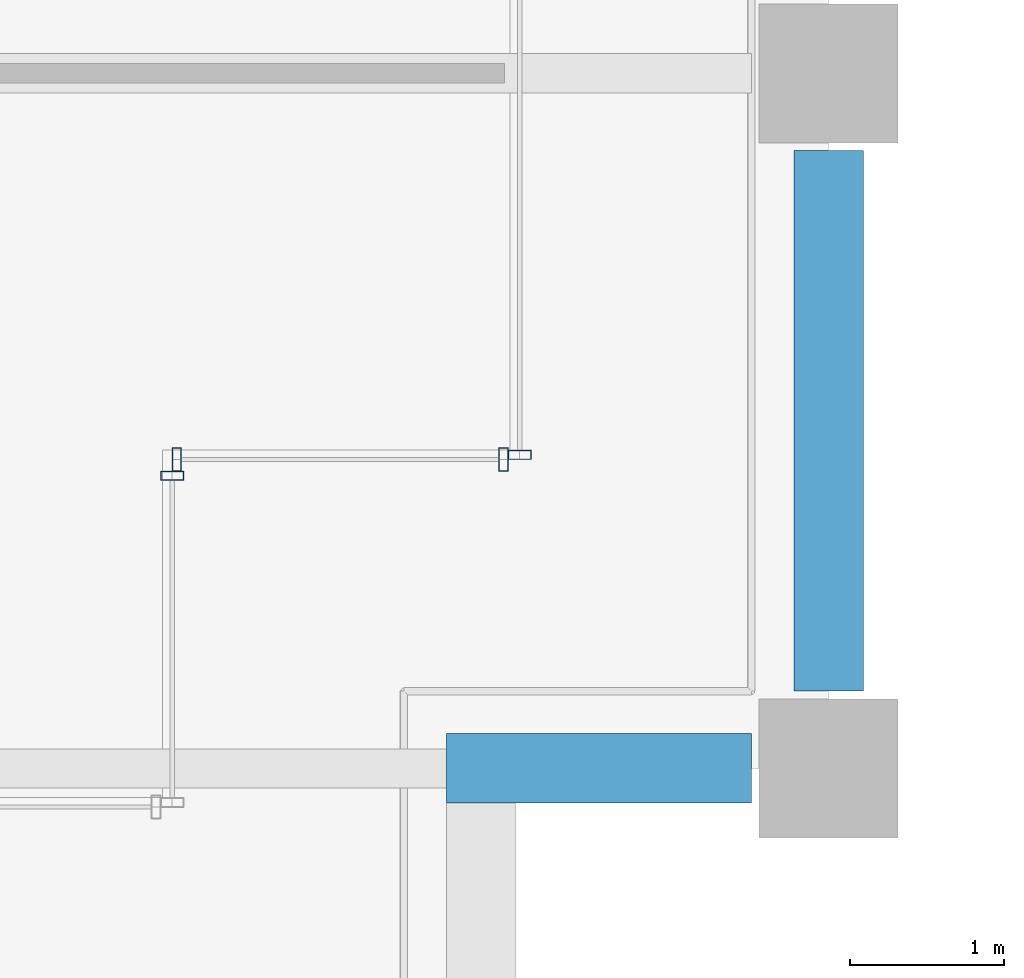
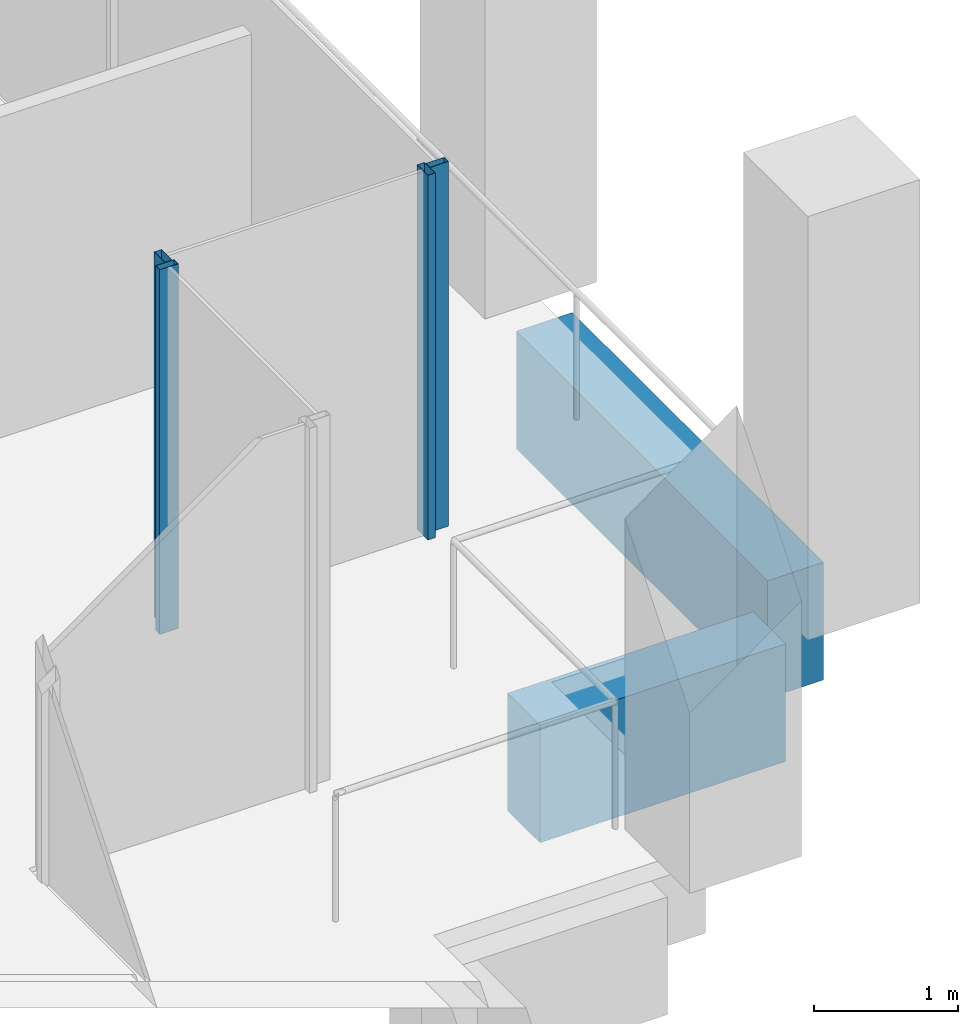
# One storey, part 13 of 44: 4 members, 2 beams, 3 elements without a shape of their own.
"""IFC4 building model written with IfcOpenShell, lengths in metres."""

import ifcopenshell
import ifcopenshell.guid

model = None  # the IFC model being written
_history = None  # IfcOwnerHistory: only IFC2X3 demands one
_inside = {}  # id of a spatial element -> (the spatial element, [elements in it])
_under = {}  # id of a project, library or spatial element -> (it, [spatial elements below it])
_declared = {}  # id of a project -> (the project, [libraries it declares])
_typed = {}  # id of a type object -> (the type object, [elements of that type])
_made_of = {}  # id of a material, layer set ... -> (it, [elements and type objects made of it])


def new_model(schema):
    """Start an empty IFC model of exactly this schema.

    Asked for "IFC4X3", IfcOpenShell would pick the latest addendum, in which some entities
    have other attributes; the version numbers below select the first issue.
    IFC2X3 requires an IfcOwnerHistory on every rooted entity: one is made here for all.
    """
    global model, _history
    if schema == "IFC4X3":
        model = ifcopenshell.file(schema_version=(4, 3, 0, 0))
    else:
        model = ifcopenshell.file(schema=schema)
    _inside.clear()
    _under.clear()
    _declared.clear()
    _typed.clear()
    _made_of.clear()
    _history = None
    if model.schema == "IFC2X3":
        org = make("IfcOrganization", Name="unknown")
        user = make(
            "IfcPersonAndOrganization",
            ThePerson=make("IfcPerson", FamilyName="unknown"),
            TheOrganization=org,
        )
        app = make(
            "IfcApplication",
            ApplicationDeveloper=org,
            Version="unknown",
            ApplicationFullName="unknown",
            ApplicationIdentifier="unknown",
        )
        _history = make(
            "IfcOwnerHistory",
            OwningUser=user,
            OwningApplication=app,
            ChangeAction="ADDED",
            CreationDate=0,
        )
    return model


def make(cls, **values):
    """One entity of the class cls with the attributes given. An attribute that is None is left unset."""
    return model.create_entity(
        cls, **{name: value for name, value in values.items() if value is not None}
    )


def rooted(cls, **values):
    """An entity with a GlobalId (a new one), such as an element, a storey or a relation."""
    return make(cls, GlobalId=ifcopenshell.guid.new(), OwnerHistory=_history, **values)


def si_unit(unit_type, name, prefix=None):
    """IfcSIUnit, for example si_unit("LENGTHUNIT", "METRE", prefix="MILLI")."""
    return make("IfcSIUnit", UnitType=unit_type, Prefix=prefix, Name=name)


def assignment(units):
    """IfcUnitAssignment: the units of a project."""
    return None if units is None else make("IfcUnitAssignment", Units=units)


def point(xyz):
    """IfcCartesianPoint."""
    return None if xyz is None else make("IfcCartesianPoint", Coordinates=xyz)


def direction(xyz):
    """IfcDirection."""
    return None if xyz is None else make("IfcDirection", DirectionRatios=xyz)


def frame(location, z_axis=None, x_axis=None):
    """IfcAxis2Placement3D, a coordinate frame: its origin and axes. An axis left out is left unset."""
    return make(
        "IfcAxis2Placement3D",
        Location=point(location),
        Axis=direction(z_axis),
        RefDirection=direction(x_axis),
    )


def frame_2d(location, x_axis=None):
    """IfcAxis2Placement2D, a coordinate frame in the plane: its origin and x axis."""
    return make(
        "IfcAxis2Placement2D", Location=point(location), RefDirection=direction(x_axis)
    )


def origin():
    """The frame at (0, 0, 0) with its axes left unset."""
    return frame((0.0, 0.0, 0.0))


def origin_2d():
    """The frame at (0, 0) in the plane with its x axis left unset."""
    return frame_2d((0.0, 0.0))


def place(relative_to, where):
    """IfcLocalPlacement: puts the frame where relative to a parent placement (None: the world)."""
    return make(
        "IfcLocalPlacement", PlacementRelTo=relative_to, RelativePlacement=where
    )


def context(
    kind, dimensions, precision=None, world=None, true_north=None, identifier=None
):
    """IfcGeometricRepresentationContext, for example the 3D "Model" context."""
    return make(
        "IfcGeometricRepresentationContext",
        ContextIdentifier=identifier,
        ContextType=kind,
        CoordinateSpaceDimension=dimensions,
        Precision=precision,
        WorldCoordinateSystem=world,
        TrueNorth=true_north,
    )


def subcontext(parent, identifier, kind, view, scale=None):
    """IfcGeometricRepresentationSubContext, for example "Body" below "Model"."""
    return make(
        "IfcGeometricRepresentationSubContext",
        ContextIdentifier=identifier,
        ContextType=kind,
        ParentContext=parent,
        TargetScale=scale,
        TargetView=view,
    )


def project(units=None, contexts=None):
    """IfcProject with its units and contexts."""
    return rooted(
        "IfcProject",
        Name="project",
        RepresentationContexts=contexts,
        UnitsInContext=assignment(units),
    )


def spatial(cls, under=None, at=None, **own):
    """A site, building, storey or space (cls), placed at a placement, below another one or the project."""
    s = rooted(cls, ObjectPlacement=at, **own)
    if under is not None:
        _under.setdefault(under.id(), (under, []))[1].append(s)
    return s


def profile(cls, at=None, kind="AREA", **sizes):
    """A parametric profile (cls). Its sizes go by their IFC names, for example OverallWidth=200.0."""
    return make(cls, ProfileType=kind, Position=at, **sizes)


def rectangle(**sizes):
    """IfcRectangleProfileDef."""
    return profile("IfcRectangleProfileDef", **sizes)


def hollow_rectangle(**sizes):
    """IfcRectangleHollowProfileDef."""
    return profile("IfcRectangleHollowProfileDef", **sizes)


def extrude(swept, where, along, depth):
    """IfcExtrudedAreaSolid: the profile swept, set in the frame where, extruded along a direction by depth."""
    return make(
        "IfcExtrudedAreaSolid",
        SweptArea=swept,
        Position=where,
        ExtrudedDirection=direction(along),
        Depth=depth,
    )


def shape(context_of_items, identifier, shape_type, items):
    """IfcShapeRepresentation: the items that make up one representation, for example the "Body"."""
    return make(
        "IfcShapeRepresentation",
        ContextOfItems=context_of_items,
        RepresentationIdentifier=identifier,
        RepresentationType=shape_type,
        Items=items,
    )


def material(Name=None, Category=None):
    """IfcMaterial."""
    return make("IfcMaterial", Name=Name, Category=Category)


def material_profile(
    of_material, cross_section, Name=None, Category=None, Priority=None
):
    """IfcMaterialProfile: a cross section and its material."""
    return make(
        "IfcMaterialProfile",
        Name=Name,
        Material=of_material,
        Profile=cross_section,
        Priority=Priority,
        Category=Category,
    )


def profile_set(profiles, Name=None, composite=None):
    """IfcMaterialProfileSet."""
    return make(
        "IfcMaterialProfileSet",
        Name=Name,
        MaterialProfiles=profiles,
        CompositeProfile=composite,
    )


def made_of(thing, what):
    """Note that an element or type object is made of a material, layer set ...; save() writes the relation."""
    if what is not None:
        _made_of.setdefault(what.id(), (what, []))[1].append(thing)
    return thing


def type_object(cls, material=None, **own):
    """A type object (cls), such as IfcWallType, which elements share."""
    return made_of(rooted(cls, **own), material)


def element(
    cls,
    number,
    at=None,
    inside=None,
    cuts=None,
    type_object=None,
    material=None,
    context=None,
    identifier="Body",
    shape_type=None,
    held_by="IfcProductDefinitionShape",
    body=None,
    shapes=None,
    **own,
):
    """One element of the class cls, such as IfcWall. Its Tag is "e" and its number.

    at: its placement. inside: the storey or other place that contains it. cuts: it is an
    opening in that element (IfcRelVoidsElement). A single representation is given by context,
    identifier, shape_type and body (its items); several are given by shapes. held_by: the class
    of the entity that holds the representations. save() writes the other relations.
    """
    e = rooted(cls, Tag="e%d" % number, ObjectPlacement=at, **own)
    if body is not None:
        shapes = [shape(context, identifier, shape_type, body)]
    if shapes is not None:
        e.Representation = make(held_by, Representations=shapes)
    if inside is not None:
        _inside.setdefault(inside.id(), (inside, []))[1].append(e)
    if cuts is not None:
        rooted(
            "IfcRelVoidsElement", RelatingBuildingElement=cuts, RelatedOpeningElement=e
        )
    if type_object is not None:
        _typed.setdefault(type_object.id(), (type_object, []))[1].append(e)
    return made_of(e, material)


def aggregate(whole, parts):
    """IfcRelAggregates: a whole, such as a stair, and the parts it consists of."""
    return rooted("IfcRelAggregates", RelatingObject=whole, RelatedObjects=parts)


def save(model, path):
    """Write the relations noted so far, then the file.

    IfcRelAggregates (storeys below a building ...), IfcRelContainedInSpatialStructure (elements
    in a storey), IfcRelDefinesByType, IfcRelAssociatesMaterial and IfcRelDeclares: one each for
    every whole, place, type object, material and project.
    """
    for whole, parts in _under.values():
        aggregate(whole, parts)
    for where, things in _inside.values():
        rooted(
            "IfcRelContainedInSpatialStructure",
            RelatedElements=things,
            RelatingStructure=where,
        )
    for kind, things in _typed.values():
        rooted("IfcRelDefinesByType", RelatedObjects=things, RelatingType=kind)
    for what, things in _made_of.values():
        rooted("IfcRelAssociatesMaterial", RelatedObjects=things, RelatingMaterial=what)
    for by, libraries in _declared.values():
        rooted("IfcRelDeclares", RelatingContext=by, RelatedDefinitions=libraries)
    model.write(path)


model = new_model("IFC4")

# Units and contexts
model_context = context("Model", 3, precision=1e-05, world=origin(), true_north=direction((0.0, 1.0)))
body_context = subcontext(model_context, "Body", "Model", "MODEL_VIEW")
ifc_project = project(units=[si_unit("LENGTHUNIT", "METRE"), si_unit("AREAUNIT", "SQUARE_METRE"), si_unit("VOLUMEUNIT", "CUBIC_METRE"), si_unit("PLANEANGLEUNIT", "RADIAN"), si_unit("MASSUNIT", "GRAM", prefix="KILO")], contexts=[model_context])

# Site, building, storey
site_placement = place(None, origin())
site = spatial("IfcSite", under=ifc_project, at=site_placement, CompositionType="ELEMENT")
building_placement = place(site_placement, origin())
building = spatial("IfcBuilding", under=site, at=building_placement, Name="Altepetl Exchange Towers", CompositionType="ELEMENT")
storey_placement = place(building_placement, frame((0.0, 0.0, 143.800048828125)))
storey = spatial("IfcBuildingStorey", under=building, at=storey_placement, Name="L35", CompositionType="ELEMENT", Elevation=143.800048828125)

# Curtain wall, member
ifc_material_1 = material(Name="Aluminium 6063-T6 glazing", Category="aluminium")
curtain_wall_type = type_object("IfcCurtainWallType", Name="Loggia glazing system", PredefinedType="NOTDEFINED", material=ifc_material_1)
curtain_wall_1_placement = place(storey_placement, origin())
curtain_wall_1 = element("IfcCurtainWall", 1, at=curtain_wall_1_placement, inside=storey, type_object=curtain_wall_type, Name="CW1 run", PredefinedType="NOTDEFINED")
ifc_material_2 = material(Name="Aluminium 6063-T6", Category="aluminium")
ifc_material_profile_1 = material_profile(ifc_material_2, hollow_rectangle(XDim=0.06005859375, YDim=0.14990234375, WallThickness=0.0029296875, at=origin_2d()), Name="Mullion 60x150 aluminium")
ifc_profile_set_1 = profile_set([ifc_material_profile_1], Name="Aluminium 6063-T6")
member_type = type_object("IfcMemberType", Name="Mullion 60x150 aluminium", PredefinedType="MULLION", material=ifc_profile_set_1)
member_1_placement = place(storey_placement, frame((67.75, 33.39501953125, 0.0), z_axis=(0.0, 0.0, 1.0), x_axis=(0.0, 1.0, 0.0)))
member_1 = element("IfcMember", 2, at=member_1_placement, type_object=member_type, Name="MU1 mullion", PredefinedType="MULLION", context=body_context, shape_type="SweptSolid", body=[
    extrude(hollow_rectangle(XDim=0.06005859375, YDim=0.14990234375, WallThickness=0.0029296875, at=origin_2d()), origin(), (0.0, 0.0, 1.0), 3.099853515625),
])
aggregate(curtain_wall_1, [member_1])

# Curtain wall, members
curtain_wall_2_placement = place(storey_placement, origin())
curtain_wall_2 = element("IfcCurtainWall", 3, at=curtain_wall_2_placement, inside=storey, type_object=curtain_wall_type, Name="CW1 run", PredefinedType="NOTDEFINED")
member_2_placement = place(storey_placement, frame((67.780029296875, 33.5, 0.0)))
member_2 = element("IfcMember", 4, at=member_2_placement, type_object=member_type, Name="MU1 mullion", PredefinedType="MULLION", context=body_context, shape_type="SweptSolid", body=[
    extrude(hollow_rectangle(XDim=0.06005859375, YDim=0.14990234375, WallThickness=0.0029296875, at=origin_2d()), origin(), (0.0, 0.0, 1.0), 3.099853515625),
])
member_3_placement = place(storey_placement, frame((69.89501953125, 33.5, 0.0)))
member_3 = element("IfcMember", 5, at=member_3_placement, type_object=member_type, Name="MU1 mullion", PredefinedType="MULLION", context=body_context, shape_type="SweptSolid", body=[
    extrude(hollow_rectangle(XDim=0.06005859375, YDim=0.14990234375, WallThickness=0.0029296875, at=origin_2d()), origin(), (0.0, 0.0, 1.0), 3.099853515625),
])
aggregate(curtain_wall_2, [member_2, member_3])

# Curtain wall, member
curtain_wall_3_placement = place(storey_placement, origin())
curtain_wall_3 = element("IfcCurtainWall", 6, at=curtain_wall_3_placement, inside=storey, type_object=curtain_wall_type, Name="CW1 run", PredefinedType="NOTDEFINED")
member_4_placement = place(storey_placement, frame((70.0, 33.530029296875, 0.0), z_axis=(0.0, 0.0, 1.0), x_axis=(0.0, 1.0, 0.0)))
member_4 = element("IfcMember", 7, at=member_4_placement, type_object=member_type, Name="MU1 mullion", PredefinedType="MULLION", context=body_context, shape_type="SweptSolid", body=[
    extrude(hollow_rectangle(XDim=0.06005859375, YDim=0.14990234375, WallThickness=0.0029296875, at=origin_2d()), origin(), (0.0, 0.0, 1.0), 3.099853515625),
])
aggregate(curtain_wall_3, [member_4])

# Beams
ifc_material_3 = material(Name="Concrete C50/60 precast with cantera amarilla facing", Category="concrete")
ifc_material_profile_2 = material_profile(ifc_material_3, rectangle(XDim=0.449951171875, YDim=1.0, at=origin_2d()), Name="450 x 1000")
ifc_profile_set_2 = profile_set([ifc_material_profile_2], Name="Concrete C50/60 precast with cantera amarilla facing")
beam_type = type_object("IfcBeamType", Name="Spandrel beam 450x1000 cantera amarilla", PredefinedType="SPANDREL", material=ifc_profile_set_2)
beam_1_placement = place(storey_placement, frame((69.52490234375, 31.5, -0.650146484375), z_axis=(1.0, 0.0, 0.0), x_axis=(0.0, 1.0, 0.0)))
element("IfcBeam", 8, at=beam_1_placement, inside=storey, type_object=beam_type, Name="sp:A:L35:011", PredefinedType="SPANDREL", context=body_context, shape_type="SweptSolid", body=[
    extrude(rectangle(XDim=0.449951171875, YDim=1.0, at=origin_2d()), origin(), (0.0, 0.0, 1.0), 1.97509765625),
])
beam_2_placement = place(storey_placement, frame((72.0, 32.0, -0.650146484375), z_axis=(0.0, 1.0, 0.0), x_axis=(-1.0, 0.0, 0.0)))
element("IfcBeam", 9, at=beam_2_placement, inside=storey, type_object=beam_type, Name="sp:A:L35:012", PredefinedType="SPANDREL", context=body_context, shape_type="SweptSolid", body=[
    extrude(rectangle(XDim=0.449951171875, YDim=1.0, at=origin_2d()), origin(), (0.0, 0.0, 1.0), 3.5),
])

save(model, "model.ifc")
